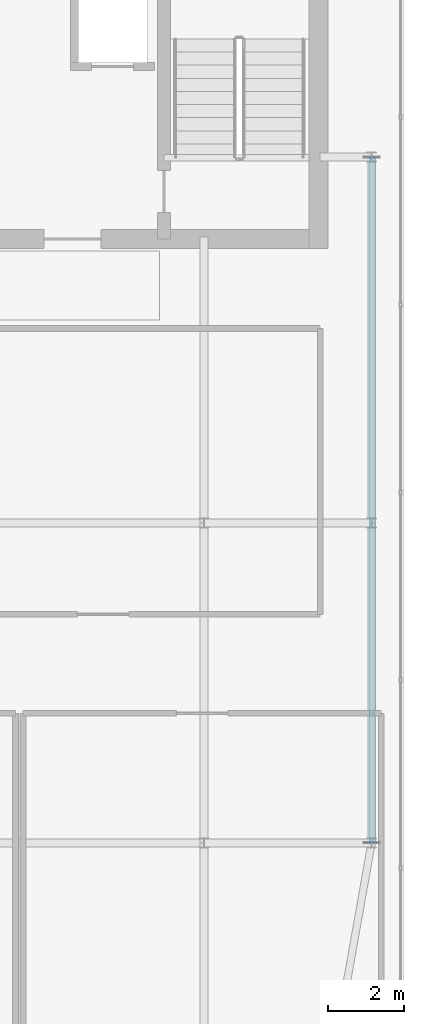
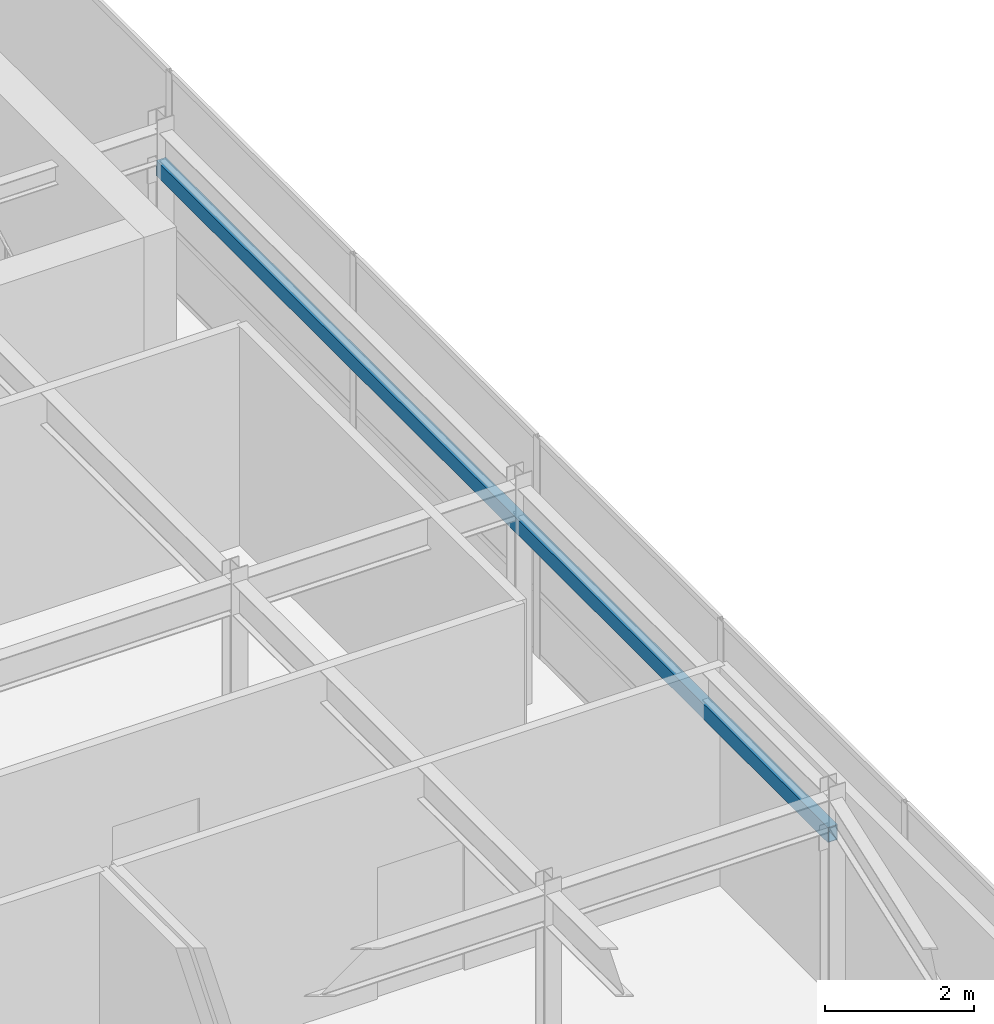
# One storey, part 23 of 36: 1 member.
"""IFC4 building model written with IfcOpenShell, lengths in metres."""

from ifc_helpers import new_model, si_unit, direction, frame, origin, origin_2d, place, context, subcontext, project, spatial, hollow_rectangle, extrude, source, transform, mapped, material, material_profile, profile_set, type_object, type_shapes, element, save


model = new_model("IFC4")

# Units and contexts
model_context = context("Model", 3, precision=1e-05, world=origin(), true_north=direction((0.0, 1.0)))
body_context = subcontext(model_context, "Body", "Model", "MODEL_VIEW")
ifc_project = project(units=[si_unit("LENGTHUNIT", "METRE"), si_unit("AREAUNIT", "SQUARE_METRE"), si_unit("VOLUMEUNIT", "CUBIC_METRE"), si_unit("PLANEANGLEUNIT", "RADIAN"), si_unit("MASSUNIT", "GRAM", prefix="KILO")], contexts=[model_context])

# Site, building, storey
site_placement = place(None, origin())
site = spatial("IfcSite", under=ifc_project, at=site_placement, CompositionType="ELEMENT")
building_placement = place(site_placement, origin())
building = spatial("IfcBuilding", under=site, at=building_placement, Name="Tolvann Quenvar Hotel", CompositionType="ELEMENT")
storey_placement = place(building_placement, frame((0.0, 0.0, 306.14990234375)))
storey = spatial("IfcBuildingStorey", under=building, at=storey_placement, Name="L81", CompositionType="ELEMENT", Elevation=306.14990234375)

# Member
ifc_material = material(Name="Steel Grade 450 (C450L0)", Category="steel")
ifc_material_profile = material_profile(ifc_material, hollow_rectangle(XDim=0.14990234375, YDim=0.25, WallThickness=0.009033203125, at=origin_2d()), Name="250x150x9RHS")
ifc_profile_set = profile_set([ifc_material_profile], Name="Steel Grade 450 (C450L0)")
member_type = type_object("IfcMemberType", Name="MEM_CROWN_250RHS", PredefinedType="USERDEFINED", material=ifc_profile_set)
shared_shape = source(origin(), body_context, "Body", "SweptSolid", [
    extrude(hollow_rectangle(XDim=0.14990234375, YDim=0.25, WallThickness=0.009033203125, at=origin_2d()), origin(), (0.0, 0.0, 1.0), 18.0),
])
type_shapes(member_type, [shared_shape])
member_placement = place(storey_placement, frame((37.14990234375, 16.0, 2.93017578125), z_axis=(0.0, 1.0, 0.0), x_axis=(-1.0, 0.0, 0.0)))
element("IfcMember", 1, at=member_placement, inside=storey, type_object=member_type, Name="Crown Frame Ring Member (L81-3)", ObjectType="CROWN FRAME", PredefinedType="USERDEFINED", context=body_context, shape_type="MappedRepresentation", body=[
    mapped(shared_shape, transform((0.0, 0.0, 0.0), x_axis=(1.0, 0.0, 0.0), y_axis=(0.0, 1.0, 0.0), z_axis=(0.0, 0.0, 1.0), scale=1.0)),
])

save(model, "model.ifc")
